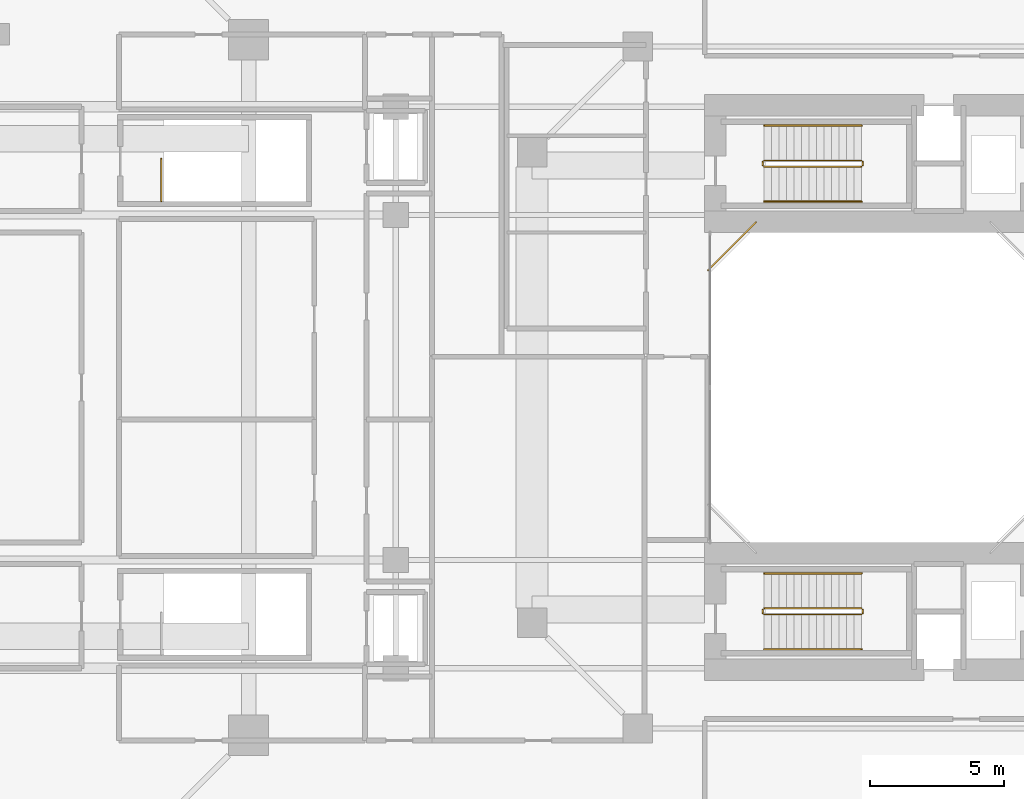
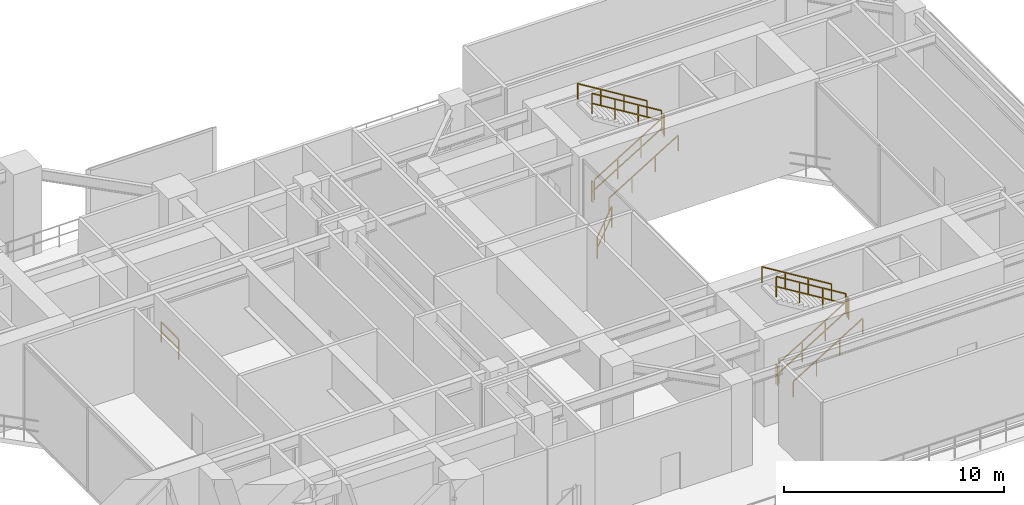
# One storey, part 18 of 19: 14 railings.
"""IFC4 building model written with IfcOpenShell, lengths in metres."""

from ifc_helpers import new_model, si_unit, direction, frame, origin, origin_2d, place, context, subcontext, project, spatial, rectangle, extrude, material, type_object, element, save


model = new_model("IFC4")

# Units and contexts
model_context = context("Model", 3, precision=1e-05, world=origin(), true_north=direction((0.0, 1.0)))
body_context = subcontext(model_context, "Body", "Model", "MODEL_VIEW")
ifc_project = project(units=[si_unit("LENGTHUNIT", "METRE"), si_unit("AREAUNIT", "SQUARE_METRE"), si_unit("VOLUMEUNIT", "CUBIC_METRE"), si_unit("PLANEANGLEUNIT", "RADIAN"), si_unit("MASSUNIT", "GRAM", prefix="KILO"), si_unit("THERMODYNAMICTEMPERATUREUNIT", "KELVIN"), si_unit("POWERUNIT", "WATT")], contexts=[model_context])

# Site, building, storey
site_placement = place(None, origin())
site = spatial("IfcSite", under=ifc_project, at=site_placement, CompositionType="ELEMENT")
building_placement = place(site_placement, origin())
building = spatial("IfcBuilding", under=site, at=building_placement, Name="Qiaomeng Ring Towers", CompositionType="ELEMENT")
storey_placement = place(building_placement, frame((0.0, 0.0, 18.199951171875)))
storey = spatial("IfcBuildingStorey", under=building, at=storey_placement, Name="L04", CompositionType="ELEMENT", Elevation=18.199951171875)

# Railings
ifc_material_1 = material(Name="Low-E pale-green laminated safety glass", Category="glass")
railing_type_1 = type_object("IfcRailingType", Name="ARC-RL-BAL1", PredefinedType="BALUSTRADE", material=ifc_material_1)
railing_1_placement = place(storey_placement, frame((56.1201171875, 29.179931640625, 0.0)))
element("IfcRailing", 1, at=railing_1_placement, inside=storey, type_object=railing_type_1, Name="L04 Balustrade ARC-BAL-WELL2-L04-3", PredefinedType="BALUSTRADE", context=body_context, shape_type="SweptSolid", body=[
    extrude(rectangle(XDim=0.048095703125, YDim=0.048095703125, at=origin_2d()), frame((0.0, 0.0, 1.17578125), z_axis=(-0.707106781187, -0.707106781187, 0.0), x_axis=(0.707106781187, -0.707106781187, 0.0)), (0.0, 0.0, 1.0), 2.545654296875),
    extrude(rectangle(XDim=0.048095703125, YDim=0.048095703125, at=origin_2d()), frame((0.0, 0.0, 0.60009765625), z_axis=(-0.707106781187, -0.707106781187, 0.0), x_axis=(0.707106781187, -0.707106781187, 0.0)), (0.0, 0.0, 1.0), 2.545654296875),
    extrude(rectangle(XDim=0.0419921875, YDim=0.0419921875, at=origin_2d()), origin(), (0.0, 0.0, 1.0), 1.15185546875),
    extrude(rectangle(XDim=0.0419921875, YDim=0.0419921875, at=origin_2d()), frame((-0.89990234375, -0.89990234375, 0.0)), (0.0, 0.0, 1.0), 1.15185546875),
    extrude(rectangle(XDim=0.0419921875, YDim=0.0419921875, at=origin_2d()), frame((-1.800048828125, -1.800048828125, 0.0)), (0.0, 0.0, 1.0), 1.15185546875),
])
ifc_material_2 = material(Name="Galvanised steel", Category="steel")
railing_type_2 = type_object("IfcRailingType", Name="ARC-RL-GUARD", PredefinedType="GUARDRAIL", material=ifc_material_2)
railing_2_placement = place(storey_placement, frame((56.419921875, 31.25, 0.17138671875)))
element("IfcRailing", 2, at=railing_2_placement, inside=storey, type_object=railing_type_2, Name="L04 ST5 stair guard 1", PredefinedType="GUARDRAIL", context=body_context, shape_type="SweptSolid", body=[
    extrude(rectangle(XDim=0.048095703125, YDim=0.048095703125, at=origin_2d()), frame((0.0, 0.0, 1.1259765625), z_axis=(0.852840387347, 0.0, 0.522171689878), x_axis=(0.0, 1.0, 0.0)), (0.0, 0.0, 1.0), 4.268310546875),
    extrude(rectangle(XDim=0.048095703125, YDim=0.048095703125, at=origin_2d()), frame((0.0, 0.0, 0.574951171875), z_axis=(0.852840387347, 0.0, 0.522171689878), x_axis=(0.0, 1.0, 0.0)), (0.0, 0.0, 1.0), 4.268310546875),
    extrude(rectangle(XDim=0.0419921875, YDim=0.0419921875, at=origin_2d()), origin(), (0.0, 0.0, 1.0), 1.101806640625),
    extrude(rectangle(XDim=0.0419921875, YDim=0.0419921875, at=origin_2d()), frame((1.21337890625, 0.0, 0.742919921875)), (0.0, 0.0, 1.0), 1.101806640625),
    extrude(rectangle(XDim=0.0419921875, YDim=0.0419921875, at=origin_2d()), frame((2.4267578125, 0.0, 1.48583984375)), (0.0, 0.0, 1.0), 1.101806640625),
    extrude(rectangle(XDim=0.0419921875, YDim=0.0419921875, at=origin_2d()), frame((3.64013671875, 0.0, 2.228759765625)), (0.0, 0.0, 1.0), 1.101806640625),
])
railing_3_placement = place(storey_placement, frame((60.110107421875, 31.300048828125, 2.400146484375)))
element("IfcRailing", 3, at=railing_3_placement, inside=storey, type_object=railing_type_2, Name="L04 ST5 stair guard 2", PredefinedType="GUARDRAIL", context=body_context, shape_type="SweptSolid", body=[
    extrude(rectangle(XDim=0.048095703125, YDim=0.048095703125, at=origin_2d()), frame((0.0, 0.0, 1.1259765625), z_axis=(0.0, 1.0, 0.0), x_axis=(-1.0, 0.0, 0.0)), (0.0, 0.0, 1.0), 0.139892578125),
    extrude(rectangle(XDim=0.048095703125, YDim=0.048095703125, at=origin_2d()), frame((0.0, 0.0, 0.574951171875), z_axis=(0.0, 1.0, 0.0), x_axis=(-1.0, 0.0, 0.0)), (0.0, 0.0, 1.0), 0.139892578125),
    extrude(rectangle(XDim=0.0419921875, YDim=0.0419921875, at=origin_2d()), origin(), (0.0, 0.0, 1.0), 1.101806640625),
    extrude(rectangle(XDim=0.0419921875, YDim=0.0419921875, at=origin_2d()), frame((0.0, 0.139892578125, 0.0)), (0.0, 0.0, 1.0), 1.101806640625),
])
railing_4_placement = place(storey_placement, frame((60.06005859375, 31.489990234375, 2.571533203125)))
element("IfcRailing", 4, at=railing_4_placement, inside=storey, type_object=railing_type_2, Name="L04 ST5 stair guard 3", PredefinedType="GUARDRAIL", context=body_context, shape_type="SweptSolid", body=[
    extrude(rectangle(XDim=0.048095703125, YDim=0.048095703125, at=origin_2d()), frame((0.0, 0.0, 1.1259765625), z_axis=(-0.852865859571, 0.0, 0.52213008492), x_axis=(0.0, -1.0, 0.0)), (0.0, 0.0, 1.0), 4.26806640625),
    extrude(rectangle(XDim=0.048095703125, YDim=0.048095703125, at=origin_2d()), frame((0.0, 0.0, 0.574951171875), z_axis=(-0.852865859571, 0.0, 0.52213008492), x_axis=(0.0, -1.0, 0.0)), (0.0, 0.0, 1.0), 4.26806640625),
    extrude(rectangle(XDim=0.0419921875, YDim=0.0419921875, at=origin_2d()), origin(), (0.0, 0.0, 1.0), 1.101806640625),
    extrude(rectangle(XDim=0.0419921875, YDim=0.0419921875, at=origin_2d()), frame((-1.21337890625, 0.0, 0.742919921875)), (0.0, 0.0, 1.0), 1.101806640625),
    extrude(rectangle(XDim=0.0419921875, YDim=0.0419921875, at=origin_2d()), frame((-2.4267578125, 0.0, 1.485595703125)), (0.0, 0.0, 1.0), 1.101806640625),
    extrude(rectangle(XDim=0.0419921875, YDim=0.0419921875, at=origin_2d()), frame((-3.64013671875, 0.0, 2.228515625)), (0.0, 0.0, 1.0), 1.101806640625),
])
railing_5_placement = place(storey_placement, frame((56.3701171875, 31.300048828125, 0.0)))
element("IfcRailing", 5, at=railing_5_placement, inside=storey, type_object=railing_type_2, Name="L04 ST5 stair guard 4", PredefinedType="GUARDRAIL", context=body_context, shape_type="SweptSolid", body=[
    extrude(rectangle(XDim=0.048095703125, YDim=0.048095703125, at=origin_2d()), frame((0.0, 0.0, 1.1259765625), z_axis=(0.0, 1.0, 0.0), x_axis=(-1.0, 0.0, 0.0)), (0.0, 0.0, 1.0), 0.139892578125),
    extrude(rectangle(XDim=0.048095703125, YDim=0.048095703125, at=origin_2d()), frame((0.0, 0.0, 0.574951171875), z_axis=(0.0, 1.0, 0.0), x_axis=(-1.0, 0.0, 0.0)), (0.0, 0.0, 1.0), 0.139892578125),
    extrude(rectangle(XDim=0.0419921875, YDim=0.0419921875, at=origin_2d()), origin(), (0.0, 0.0, 1.0), 1.101806640625),
    extrude(rectangle(XDim=0.0419921875, YDim=0.0419921875, at=origin_2d()), frame((0.0, 0.139892578125, 0.0)), (0.0, 0.0, 1.0), 1.101806640625),
])
railing_6_placement = place(storey_placement, frame((56.419921875, 14.510009765625, 0.17138671875)))
element("IfcRailing", 6, at=railing_6_placement, inside=storey, type_object=railing_type_2, Name="L04 ST6 stair guard 1", PredefinedType="GUARDRAIL", context=body_context, shape_type="SweptSolid", body=[
    extrude(rectangle(XDim=0.048095703125, YDim=0.048095703125, at=origin_2d()), frame((0.0, 0.0, 1.1259765625), z_axis=(0.852840387347, 0.0, 0.522171689878), x_axis=(0.0, 1.0, 0.0)), (0.0, 0.0, 1.0), 4.268310546875),
    extrude(rectangle(XDim=0.048095703125, YDim=0.048095703125, at=origin_2d()), frame((0.0, 0.0, 0.574951171875), z_axis=(0.852840387347, 0.0, 0.522171689878), x_axis=(0.0, 1.0, 0.0)), (0.0, 0.0, 1.0), 4.268310546875),
    extrude(rectangle(XDim=0.0419921875, YDim=0.0419921875, at=origin_2d()), origin(), (0.0, 0.0, 1.0), 1.101806640625),
    extrude(rectangle(XDim=0.0419921875, YDim=0.0419921875, at=origin_2d()), frame((1.21337890625, 0.0, 0.742919921875)), (0.0, 0.0, 1.0), 1.101806640625),
    extrude(rectangle(XDim=0.0419921875, YDim=0.0419921875, at=origin_2d()), frame((2.4267578125, 0.0, 1.48583984375)), (0.0, 0.0, 1.0), 1.101806640625),
    extrude(rectangle(XDim=0.0419921875, YDim=0.0419921875, at=origin_2d()), frame((3.64013671875, 0.0, 2.228759765625)), (0.0, 0.0, 1.0), 1.101806640625),
])
railing_7_placement = place(storey_placement, frame((60.110107421875, 14.56005859375, 2.400146484375)))
element("IfcRailing", 7, at=railing_7_placement, inside=storey, type_object=railing_type_2, Name="L04 ST6 stair guard 2", PredefinedType="GUARDRAIL", context=body_context, shape_type="SweptSolid", body=[
    extrude(rectangle(XDim=0.048095703125, YDim=0.048095703125, at=origin_2d()), frame((0.0, 0.0, 1.1259765625), z_axis=(0.0, 1.0, 0.0), x_axis=(-1.0, 0.0, 0.0)), (0.0, 0.0, 1.0), 0.139892578125),
    extrude(rectangle(XDim=0.048095703125, YDim=0.048095703125, at=origin_2d()), frame((0.0, 0.0, 0.574951171875), z_axis=(0.0, 1.0, 0.0), x_axis=(-1.0, 0.0, 0.0)), (0.0, 0.0, 1.0), 0.139892578125),
    extrude(rectangle(XDim=0.0419921875, YDim=0.0419921875, at=origin_2d()), origin(), (0.0, 0.0, 1.0), 1.101806640625),
    extrude(rectangle(XDim=0.0419921875, YDim=0.0419921875, at=origin_2d()), frame((0.0, 0.139892578125, 0.0)), (0.0, 0.0, 1.0), 1.101806640625),
])
railing_8_placement = place(storey_placement, frame((60.06005859375, 14.75, 2.571533203125)))
element("IfcRailing", 8, at=railing_8_placement, inside=storey, type_object=railing_type_2, Name="L04 ST6 stair guard 3", PredefinedType="GUARDRAIL", context=body_context, shape_type="SweptSolid", body=[
    extrude(rectangle(XDim=0.048095703125, YDim=0.048095703125, at=origin_2d()), frame((0.0, 0.0, 1.1259765625), z_axis=(-0.852865859571, 0.0, 0.52213008492), x_axis=(0.0, -1.0, 0.0)), (0.0, 0.0, 1.0), 4.26806640625),
    extrude(rectangle(XDim=0.048095703125, YDim=0.048095703125, at=origin_2d()), frame((0.0, 0.0, 0.574951171875), z_axis=(-0.852865859571, 0.0, 0.52213008492), x_axis=(0.0, -1.0, 0.0)), (0.0, 0.0, 1.0), 4.26806640625),
    extrude(rectangle(XDim=0.0419921875, YDim=0.0419921875, at=origin_2d()), origin(), (0.0, 0.0, 1.0), 1.101806640625),
    extrude(rectangle(XDim=0.0419921875, YDim=0.0419921875, at=origin_2d()), frame((-1.21337890625, 0.0, 0.742919921875)), (0.0, 0.0, 1.0), 1.101806640625),
    extrude(rectangle(XDim=0.0419921875, YDim=0.0419921875, at=origin_2d()), frame((-2.4267578125, 0.0, 1.485595703125)), (0.0, 0.0, 1.0), 1.101806640625),
    extrude(rectangle(XDim=0.0419921875, YDim=0.0419921875, at=origin_2d()), frame((-3.64013671875, 0.0, 2.228515625)), (0.0, 0.0, 1.0), 1.101806640625),
])
railing_9_placement = place(storey_placement, frame((56.3701171875, 14.56005859375, 0.0)))
element("IfcRailing", 9, at=railing_9_placement, inside=storey, type_object=railing_type_2, Name="L04 ST6 stair guard 4", PredefinedType="GUARDRAIL", context=body_context, shape_type="SweptSolid", body=[
    extrude(rectangle(XDim=0.048095703125, YDim=0.048095703125, at=origin_2d()), frame((0.0, 0.0, 1.1259765625), z_axis=(0.0, 1.0, 0.0), x_axis=(-1.0, 0.0, 0.0)), (0.0, 0.0, 1.0), 0.139892578125),
    extrude(rectangle(XDim=0.048095703125, YDim=0.048095703125, at=origin_2d()), frame((0.0, 0.0, 0.574951171875), z_axis=(0.0, 1.0, 0.0), x_axis=(-1.0, 0.0, 0.0)), (0.0, 0.0, 1.0), 0.139892578125),
    extrude(rectangle(XDim=0.0419921875, YDim=0.0419921875, at=origin_2d()), origin(), (0.0, 0.0, 1.0), 1.101806640625),
    extrude(rectangle(XDim=0.0419921875, YDim=0.0419921875, at=origin_2d()), frame((0.0, 0.139892578125, 0.0)), (0.0, 0.0, 1.0), 1.101806640625),
])
railing_10_placement = place(storey_placement, frame((33.8798828125, 29.9599609375, 0.0)))
element("IfcRailing", 10, at=railing_10_placement, inside=storey, type_object=railing_type_2, Name="L04 ST7 top well guard 1", PredefinedType="GUARDRAIL", context=body_context, shape_type="SweptSolid", body=[
    extrude(rectangle(XDim=0.048095703125, YDim=0.048095703125, at=origin_2d()), frame((0.0, 0.0, 1.1259765625), z_axis=(0.0, 1.0, 0.0), x_axis=(-1.0, 0.0, 0.0)), (0.0, 0.0, 1.0), 1.590087890625),
    extrude(rectangle(XDim=0.048095703125, YDim=0.048095703125, at=origin_2d()), frame((0.0, 0.0, 0.574951171875), z_axis=(0.0, 1.0, 0.0), x_axis=(-1.0, 0.0, 0.0)), (0.0, 0.0, 1.0), 1.590087890625),
    extrude(rectangle(XDim=0.0419921875, YDim=0.0419921875, at=origin_2d()), origin(), (0.0, 0.0, 1.0), 1.101806640625),
    extrude(rectangle(XDim=0.0419921875, YDim=0.0419921875, at=origin_2d()), frame((0.0, 1.590087890625, 0.0)), (0.0, 0.0, 1.0), 1.101806640625),
])
ifc_material_3 = material(Name="Stainless steel 316", Category="steel")
railing_type_3 = type_object("IfcRailingType", Name="ARC-RL-HAND", PredefinedType="HANDRAIL", material=ifc_material_3)
railing_11_placement = place(storey_placement, frame((56.419921875, 29.949951171875, 0.17138671875)))
element("IfcRailing", 11, at=railing_11_placement, inside=storey, type_object=railing_type_3, Name="L04 ST5 stair handrail 1", PredefinedType="HANDRAIL", context=body_context, shape_type="SweptSolid", body=[
    extrude(rectangle(XDim=0.048095703125, YDim=0.048095703125, at=origin_2d()), frame((0.0, 0.0, 0.8759765625), z_axis=(0.852840387347, 0.0, 0.522171689878), x_axis=(0.0, 1.0, 0.0)), (0.0, 0.0, 1.0), 4.268310546875),
    extrude(rectangle(XDim=0.0419921875, YDim=0.0419921875, at=origin_2d()), origin(), (0.0, 0.0, 1.0), 0.851806640625),
    extrude(rectangle(XDim=0.0419921875, YDim=0.0419921875, at=origin_2d()), frame((1.21337890625, 0.0, 0.742919921875)), (0.0, 0.0, 1.0), 0.851806640625),
    extrude(rectangle(XDim=0.0419921875, YDim=0.0419921875, at=origin_2d()), frame((2.4267578125, 0.0, 1.48583984375)), (0.0, 0.0, 1.0), 0.851806640625),
    extrude(rectangle(XDim=0.0419921875, YDim=0.0419921875, at=origin_2d()), frame((3.64013671875, 0.0, 2.228759765625)), (0.0, 0.0, 1.0), 0.851806640625),
])
railing_12_placement = place(storey_placement, frame((60.06005859375, 32.7900390625, 2.571533203125)))
element("IfcRailing", 12, at=railing_12_placement, inside=storey, type_object=railing_type_3, Name="L04 ST5 stair handrail 2", PredefinedType="HANDRAIL", context=body_context, shape_type="SweptSolid", body=[
    extrude(rectangle(XDim=0.048095703125, YDim=0.048095703125, at=origin_2d()), frame((0.0, 0.0, 0.8759765625), z_axis=(-0.852865859571, 0.0, 0.52213008492), x_axis=(0.0, -1.0, 0.0)), (0.0, 0.0, 1.0), 4.26806640625),
    extrude(rectangle(XDim=0.0419921875, YDim=0.0419921875, at=origin_2d()), origin(), (0.0, 0.0, 1.0), 0.851806640625),
    extrude(rectangle(XDim=0.0419921875, YDim=0.0419921875, at=origin_2d()), frame((-1.21337890625, 0.0, 0.742919921875)), (0.0, 0.0, 1.0), 0.851806640625),
    extrude(rectangle(XDim=0.0419921875, YDim=0.0419921875, at=origin_2d()), frame((-2.4267578125, 0.0, 1.485595703125)), (0.0, 0.0, 1.0), 0.851806640625),
    extrude(rectangle(XDim=0.0419921875, YDim=0.0419921875, at=origin_2d()), frame((-3.64013671875, 0.0, 2.228515625)), (0.0, 0.0, 1.0), 0.851806640625),
])
railing_13_placement = place(storey_placement, frame((56.419921875, 13.2099609375, 0.17138671875)))
element("IfcRailing", 13, at=railing_13_placement, inside=storey, type_object=railing_type_3, Name="L04 ST6 stair handrail 1", PredefinedType="HANDRAIL", context=body_context, shape_type="SweptSolid", body=[
    extrude(rectangle(XDim=0.048095703125, YDim=0.048095703125, at=origin_2d()), frame((0.0, 0.0, 0.8759765625), z_axis=(0.852840387347, 0.0, 0.522171689878), x_axis=(0.0, 1.0, 0.0)), (0.0, 0.0, 1.0), 4.268310546875),
    extrude(rectangle(XDim=0.0419921875, YDim=0.0419921875, at=origin_2d()), origin(), (0.0, 0.0, 1.0), 0.851806640625),
    extrude(rectangle(XDim=0.0419921875, YDim=0.0419921875, at=origin_2d()), frame((1.21337890625, 0.0, 0.742919921875)), (0.0, 0.0, 1.0), 0.851806640625),
    extrude(rectangle(XDim=0.0419921875, YDim=0.0419921875, at=origin_2d()), frame((2.4267578125, 0.0, 1.48583984375)), (0.0, 0.0, 1.0), 0.851806640625),
    extrude(rectangle(XDim=0.0419921875, YDim=0.0419921875, at=origin_2d()), frame((3.64013671875, 0.0, 2.228759765625)), (0.0, 0.0, 1.0), 0.851806640625),
])
railing_14_placement = place(storey_placement, frame((60.06005859375, 16.050048828125, 2.571533203125)))
element("IfcRailing", 14, at=railing_14_placement, inside=storey, type_object=railing_type_3, Name="L04 ST6 stair handrail 2", PredefinedType="HANDRAIL", context=body_context, shape_type="SweptSolid", body=[
    extrude(rectangle(XDim=0.048095703125, YDim=0.048095703125, at=origin_2d()), frame((0.0, 0.0, 0.8759765625), z_axis=(-0.852865859571, 0.0, 0.52213008492), x_axis=(0.0, -1.0, 0.0)), (0.0, 0.0, 1.0), 4.26806640625),
    extrude(rectangle(XDim=0.0419921875, YDim=0.0419921875, at=origin_2d()), origin(), (0.0, 0.0, 1.0), 0.851806640625),
    extrude(rectangle(XDim=0.0419921875, YDim=0.0419921875, at=origin_2d()), frame((-1.21337890625, 0.0, 0.742919921875)), (0.0, 0.0, 1.0), 0.851806640625),
    extrude(rectangle(XDim=0.0419921875, YDim=0.0419921875, at=origin_2d()), frame((-2.4267578125, 0.0, 1.485595703125)), (0.0, 0.0, 1.0), 0.851806640625),
    extrude(rectangle(XDim=0.0419921875, YDim=0.0419921875, at=origin_2d()), frame((-3.64013671875, 0.0, 2.228515625)), (0.0, 0.0, 1.0), 0.851806640625),
])

save(model, "model.ifc")
